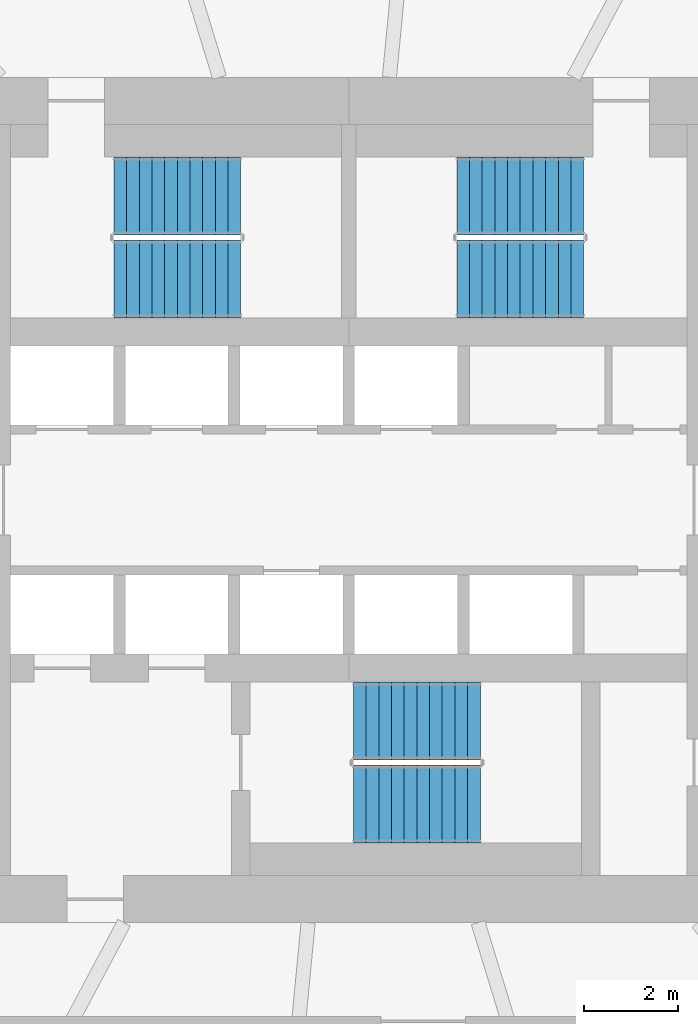
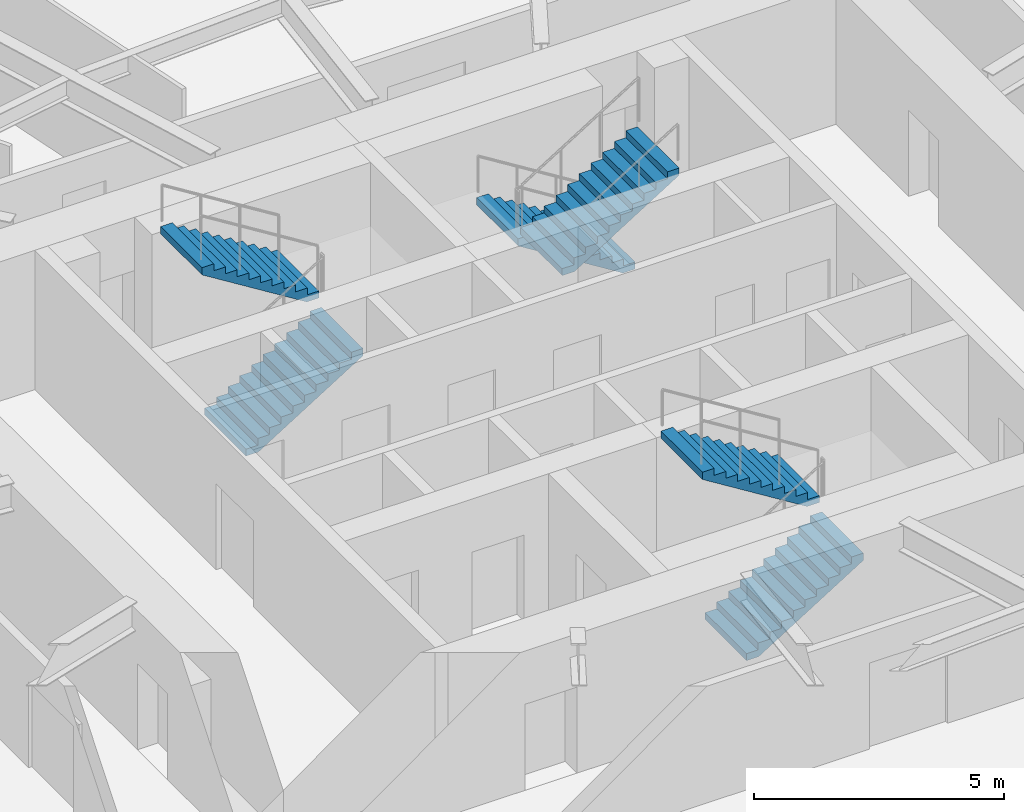
# One storey, part 11 of 16: 6 stair flights, 3 elements without a shape of their own.
"""IFC4 building model written with IfcOpenShell, lengths in metres."""

from ifc_helpers import new_model, si_unit, direction, frame, origin, place, context, subcontext, project, spatial, polyline, outline, extrude, material, type_object, element, aggregate, save


model = new_model("IFC4")

# Units and contexts
model_context = context("Model", 3, precision=1e-05, world=origin(), true_north=direction((0.0, 1.0)))
body_context = subcontext(model_context, "Body", "Model", "MODEL_VIEW")
ifc_project = project(units=[si_unit("LENGTHUNIT", "METRE"), si_unit("AREAUNIT", "SQUARE_METRE"), si_unit("VOLUMEUNIT", "CUBIC_METRE"), si_unit("PLANEANGLEUNIT", "RADIAN"), si_unit("MASSUNIT", "GRAM", prefix="KILO")], contexts=[model_context])

# Site, building, storey
site_placement = place(None, origin())
site = spatial("IfcSite", under=ifc_project, at=site_placement, CompositionType="ELEMENT")
building_placement = place(site_placement, origin())
building = spatial("IfcBuilding", under=site, at=building_placement, Name="Vermilion Reach Broadcast Tower", CompositionType="ELEMENT")
storey_placement = place(building_placement, frame((0.0, 0.0, 43.39990234375)))
storey = spatial("IfcBuildingStorey", under=building, at=storey_placement, Name="L07", CompositionType="ELEMENT", Elevation=43.39990234375)

# Stair, stair flights
ifc_material_1 = material(Name="Concrete C40", Category="concrete")
stair_type = type_object("IfcStairType", Name="Exit stair RC 22 risers 168 mm", PredefinedType="HALF_TURN_STAIR", material=ifc_material_1)
placement = place(storey_placement, origin())
stair_1 = element("IfcStair", 1, at=placement, inside=storey, type_object=stair_type, Name="L07 Exit stair ST1", PredefinedType="HALF_TURN_STAIR")
ifc_material_2 = material(Name="Concrete C40", Category="concrete")
stair_flight_type = type_object("IfcStairFlightType", Name="Exit stair flight RC 11 risers", PredefinedType="STRAIGHT", material=ifc_material_2)
stair_flight_1_placement = place(storey_placement, frame((-11.0, 4.7099609375, 0.0), z_axis=(0.0, 0.0, 1.0), x_axis=(1.0, 0.0, 0.0)))
stair_flight_1 = element("IfcStairFlight", 2, at=stair_flight_1_placement, type_object=stair_flight_type, Name="ST1 flight 1", NumberOfRisers=11, NumberOfTreads=10, PredefinedType="STRAIGHT", RiserHeight=0.168181818, TreadLength=0.27, context=body_context, shape_type="SweptSolid", body=[
    extrude(outline(polyline([(0.0, 0.0), (0.0, 0.168212890625), (0.27001953125, 0.168212890625), (0.27001953125, 0.33642578125), (0.5400390625, 0.33642578125), (0.5400390625, 0.504638671875), (0.81005859375, 0.504638671875), (0.81005859375, 0.672607421875), (1.080078125, 0.672607421875), (1.080078125, 0.8408203125), (1.35009765625, 0.8408203125), (1.35009765625, 1.009033203125), (1.6201171875, 1.009033203125), (1.6201171875, 1.17724609375), (1.889892578125, 1.17724609375), (1.889892578125, 1.345458984375), (2.159912109375, 1.345458984375), (2.159912109375, 1.513671875), (2.429931640625, 1.513671875), (2.429931640625, 1.681884765625), (2.699951171875, 1.681884765625), (2.699951171875, 1.85009765625), (2.699951171875, 1.505126953125), (0.283447265625, 0.0), (0.0, 0.0)])), frame((0.0, 0.830078125, 0.0), z_axis=(0.0, -1.0, 0.0), x_axis=(1.0, 0.0, 0.0)), (0.0, 0.0, 1.0), 1.659912109375),
])
stair_flight_2_placement = place(storey_placement, frame((-8.300048828125, 6.469970703125, 1.85009765625), z_axis=(0.0, 0.0, 1.0), x_axis=(-1.0, 0.0, 0.0)))
stair_flight_2 = element("IfcStairFlight", 3, at=stair_flight_2_placement, type_object=stair_flight_type, Name="ST1 flight 2", NumberOfRisers=11, NumberOfTreads=10, PredefinedType="STRAIGHT", RiserHeight=0.168181818, TreadLength=0.27, context=body_context, shape_type="SweptSolid", body=[
    extrude(outline(polyline([(0.0, 0.0), (0.0, 0.168212890625), (0.27001953125, 0.168212890625), (0.27001953125, 0.33642578125), (0.5400390625, 0.33642578125), (0.5400390625, 0.504638671875), (0.81005859375, 0.504638671875), (0.81005859375, 0.672607421875), (1.080078125, 0.672607421875), (1.080078125, 0.8408203125), (1.35009765625, 0.8408203125), (1.35009765625, 1.009033203125), (1.6201171875, 1.009033203125), (1.6201171875, 1.17724609375), (1.889892578125, 1.17724609375), (1.889892578125, 1.345458984375), (2.159912109375, 1.345458984375), (2.159912109375, 1.513671875), (2.429931640625, 1.513671875), (2.429931640625, 1.681884765625), (2.699951171875, 1.681884765625), (2.699951171875, 1.85009765625), (2.699951171875, 1.505126953125), (0.283447265625, 0.0), (0.0, 0.0)])), frame((0.0, 0.830078125, 0.0), z_axis=(0.0, -1.0, 0.0), x_axis=(1.0, 0.0, 0.0)), (0.0, 0.0, 1.0), 1.659912109375),
])
aggregate(stair_1, [stair_flight_1, stair_flight_2])

stair_2 = element("IfcStair", 4, at=placement, inside=storey, type_object=stair_type, Name="L07 Exit stair ST2", PredefinedType="HALF_TURN_STAIR")
stair_flight_3_placement = place(storey_placement, frame((-1.0, 6.469970703125, 0.0), z_axis=(0.0, 0.0, 1.0), x_axis=(-1.0, 0.0, 0.0)))
stair_flight_3 = element("IfcStairFlight", 5, at=stair_flight_3_placement, type_object=stair_flight_type, Name="ST2 flight 1", NumberOfRisers=11, NumberOfTreads=10, PredefinedType="STRAIGHT", RiserHeight=0.168181818, TreadLength=0.27, context=body_context, shape_type="SweptSolid", body=[
    extrude(outline(polyline([(0.0, 0.0), (0.0, 0.168212890625), (0.27001953125, 0.168212890625), (0.27001953125, 0.33642578125), (0.5400390625, 0.33642578125), (0.5400390625, 0.504638671875), (0.81005859375, 0.504638671875), (0.81005859375, 0.672607421875), (1.080078125, 0.672607421875), (1.080078125, 0.8408203125), (1.35009765625, 0.8408203125), (1.35009765625, 1.009033203125), (1.6201171875, 1.009033203125), (1.6201171875, 1.17724609375), (1.889892578125, 1.17724609375), (1.889892578125, 1.345458984375), (2.159912109375, 1.345458984375), (2.159912109375, 1.513671875), (2.429931640625, 1.513671875), (2.429931640625, 1.681884765625), (2.699951171875, 1.681884765625), (2.699951171875, 1.85009765625), (2.699951171875, 1.505126953125), (0.283447265625, 0.0), (0.0, 0.0)])), frame((0.0, 0.830078125, 0.0), z_axis=(0.0, -1.0, 0.0), x_axis=(1.0, 0.0, 0.0)), (0.0, 0.0, 1.0), 1.659912109375),
])
stair_flight_4_placement = place(storey_placement, frame((-3.699951171875, 4.7099609375, 1.85009765625), z_axis=(0.0, 0.0, 1.0), x_axis=(1.0, 0.0, 0.0)))
stair_flight_4 = element("IfcStairFlight", 6, at=stair_flight_4_placement, type_object=stair_flight_type, Name="ST2 flight 2", NumberOfRisers=11, NumberOfTreads=10, PredefinedType="STRAIGHT", RiserHeight=0.168181818, TreadLength=0.27, context=body_context, shape_type="SweptSolid", body=[
    extrude(outline(polyline([(0.0, 0.0), (0.0, 0.168212890625), (0.27001953125, 0.168212890625), (0.27001953125, 0.33642578125), (0.5400390625, 0.33642578125), (0.5400390625, 0.504638671875), (0.81005859375, 0.504638671875), (0.81005859375, 0.672607421875), (1.080078125, 0.672607421875), (1.080078125, 0.8408203125), (1.35009765625, 0.8408203125), (1.35009765625, 1.009033203125), (1.6201171875, 1.009033203125), (1.6201171875, 1.17724609375), (1.889892578125, 1.17724609375), (1.889892578125, 1.345458984375), (2.159912109375, 1.345458984375), (2.159912109375, 1.513671875), (2.429931640625, 1.513671875), (2.429931640625, 1.681884765625), (2.699951171875, 1.681884765625), (2.699951171875, 1.85009765625), (2.699951171875, 1.505126953125), (0.283447265625, 0.0), (0.0, 0.0)])), frame((0.0, 0.830078125, 0.0), z_axis=(0.0, -1.0, 0.0), x_axis=(1.0, 0.0, 0.0)), (0.0, 0.0, 1.0), 1.659912109375),
])
aggregate(stair_2, [stair_flight_3, stair_flight_4])

stair_3 = element("IfcStair", 7, at=placement, inside=storey, type_object=stair_type, Name="L07 Exit stair ST3", PredefinedType="HALF_TURN_STAIR")
stair_flight_5_placement = place(storey_placement, frame((-5.89990234375, -6.469970703125, 0.0), z_axis=(0.0, 0.0, 1.0), x_axis=(1.0, 0.0, 0.0)))
stair_flight_5 = element("IfcStairFlight", 8, at=stair_flight_5_placement, type_object=stair_flight_type, Name="ST3 flight 1", NumberOfRisers=11, NumberOfTreads=10, PredefinedType="STRAIGHT", RiserHeight=0.168181818, TreadLength=0.27, context=body_context, shape_type="SweptSolid", body=[
    extrude(outline(polyline([(0.0, 0.0), (0.0, 0.168212890625), (0.27001953125, 0.168212890625), (0.27001953125, 0.33642578125), (0.5400390625, 0.33642578125), (0.5400390625, 0.504638671875), (0.81005859375, 0.504638671875), (0.81005859375, 0.672607421875), (1.080078125, 0.672607421875), (1.080078125, 0.8408203125), (1.35009765625, 0.8408203125), (1.35009765625, 1.009033203125), (1.6201171875, 1.009033203125), (1.6201171875, 1.17724609375), (1.889892578125, 1.17724609375), (1.889892578125, 1.345458984375), (2.159912109375, 1.345458984375), (2.159912109375, 1.513671875), (2.429931640625, 1.513671875), (2.429931640625, 1.681884765625), (2.699951171875, 1.681884765625), (2.699951171875, 1.85009765625), (2.699951171875, 1.505126953125), (0.283447265625, 0.0), (0.0, 0.0)])), frame((0.0, 0.830078125, 0.0), z_axis=(0.0, -1.0, 0.0), x_axis=(1.0, 0.0, 0.0)), (0.0, 0.0, 1.0), 1.659912109375),
])
stair_flight_6_placement = place(storey_placement, frame((-3.199951171875, -4.7099609375, 1.85009765625), z_axis=(0.0, 0.0, 1.0), x_axis=(-1.0, 0.0, 0.0)))
stair_flight_6 = element("IfcStairFlight", 9, at=stair_flight_6_placement, type_object=stair_flight_type, Name="ST3 flight 2", NumberOfRisers=11, NumberOfTreads=10, PredefinedType="STRAIGHT", RiserHeight=0.168181818, TreadLength=0.27, context=body_context, shape_type="SweptSolid", body=[
    extrude(outline(polyline([(0.0, 0.0), (0.0, 0.168212890625), (0.27001953125, 0.168212890625), (0.27001953125, 0.33642578125), (0.5400390625, 0.33642578125), (0.5400390625, 0.504638671875), (0.81005859375, 0.504638671875), (0.81005859375, 0.672607421875), (1.080078125, 0.672607421875), (1.080078125, 0.8408203125), (1.35009765625, 0.8408203125), (1.35009765625, 1.009033203125), (1.6201171875, 1.009033203125), (1.6201171875, 1.17724609375), (1.889892578125, 1.17724609375), (1.889892578125, 1.345458984375), (2.159912109375, 1.345458984375), (2.159912109375, 1.513671875), (2.429931640625, 1.513671875), (2.429931640625, 1.681884765625), (2.699951171875, 1.681884765625), (2.699951171875, 1.85009765625), (2.699951171875, 1.505126953125), (0.283447265625, 0.0), (0.0, 0.0)])), frame((0.0, 0.830078125, 0.0), z_axis=(0.0, -1.0, 0.0), x_axis=(1.0, 0.0, 0.0)), (0.0, 0.0, 1.0), 1.659912109375),
])
aggregate(stair_3, [stair_flight_5, stair_flight_6])

save(model, "model.ifc")
